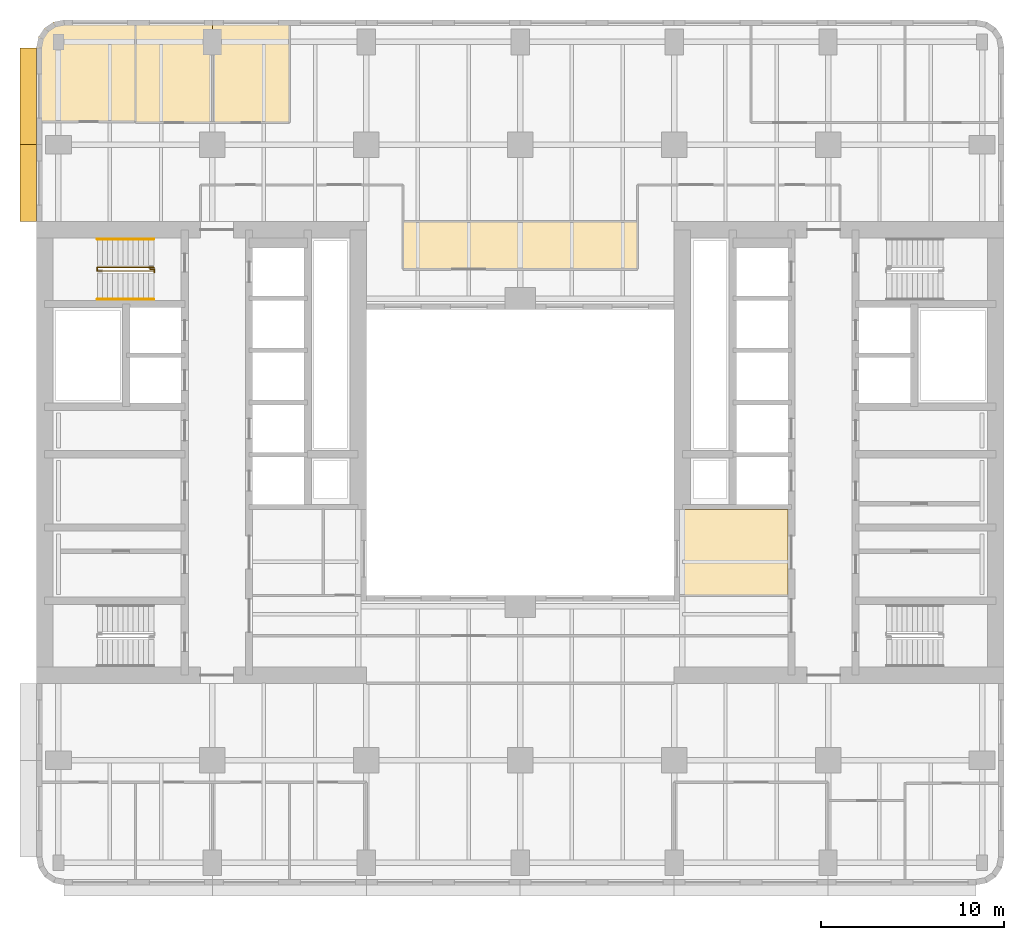
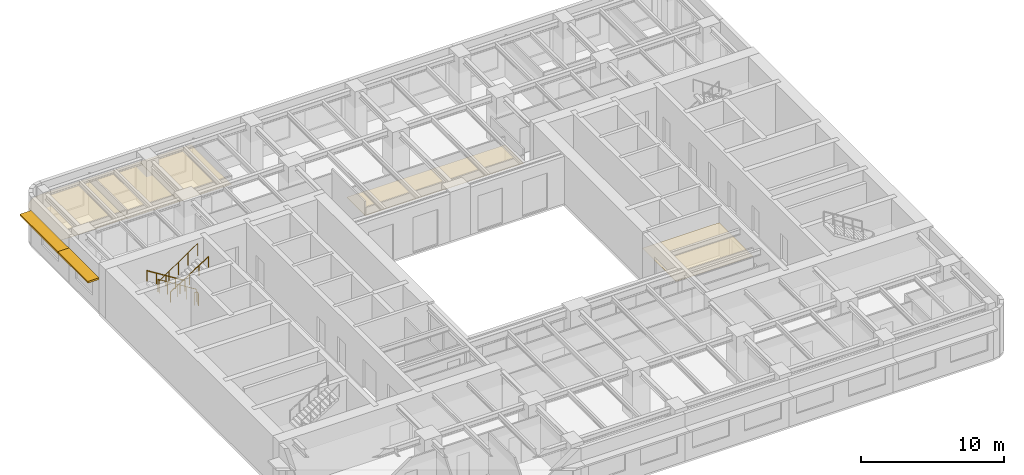
# One storey, part 10 of 11: 5 coverings, 4 railings, 2 shading devices.
"""IFC4 building model written with IfcOpenShell, lengths in metres."""

from ifc_helpers import new_model, si_unit, direction, frame, origin, origin_2d, place, context, subcontext, project, spatial, polyline, rectangle, circle, outline, extrude, material, layer, layer_set, type_object, element, save


model = new_model("IFC4")

# Units and contexts
model_context = context("Model", 3, precision=1e-05, world=origin(), true_north=direction((0.0, 1.0)))
body_context = subcontext(model_context, "Body", "Model", "MODEL_VIEW")
ifc_project = project(units=[si_unit("LENGTHUNIT", "METRE"), si_unit("AREAUNIT", "SQUARE_METRE"), si_unit("VOLUMEUNIT", "CUBIC_METRE"), si_unit("PLANEANGLEUNIT", "RADIAN"), si_unit("MASSUNIT", "GRAM", prefix="KILO")], contexts=[model_context])

# Site, building, storey
site_placement = place(None, origin())
site = spatial("IfcSite", under=ifc_project, at=site_placement, CompositionType="ELEMENT")
building_placement = place(site_placement, origin())
building = spatial("IfcBuilding", under=site, at=building_placement, Name="Claustro Exchange Tower", CompositionType="ELEMENT")
storey_placement = place(building_placement, frame((0.0, 0.0, 109.199951171875)))
storey = spatial("IfcBuildingStorey", under=building, at=storey_placement, Name="L24", CompositionType="ELEMENT", Elevation=109.199951171875)

# Coverings
ifc_material_1 = material(Name="Gypsum board ceiling", Category="gypsum board")
ifc_layer_1 = layer(ifc_material_1, 0.02490234375)
ifc_layer_set_1 = layer_set([ifc_layer_1], Name="Gypsum board ceiling")
covering_type = type_object("IfcCoveringType", Name="CL2 plasterboard ceiling", PredefinedType="CEILING", material=ifc_layer_set_1)
covering_1_placement = place(storey_placement, frame((0.0, 0.0, 2.800048828125)))
element("IfcCovering", 1, at=covering_1_placement, inside=storey, type_object=covering_type, Name="Ceiling CL2 L24-13", PredefinedType="CEILING", context=body_context, shape_type="SweptSolid", body=[
    extrude(outline(polyline([(39.800048828125, 17.39990234375), (39.800048828125, 22.10009765625), (33.60009765625, 22.10009765625), (33.60009765625, 17.39990234375), (39.800048828125, 17.39990234375)])), origin(), (0.0, 0.0, 1.0), 0.02490234375),
])
covering_2_placement = place(storey_placement, frame((0.0, 0.0, 2.800048828125)))
element("IfcCovering", 2, at=covering_2_placement, inside=storey, type_object=covering_type, Name="Ceiling CL2 L24-14", PredefinedType="CEILING", context=body_context, shape_type="SweptSolid", body=[
    extrude(outline(polyline([(18.800048828125, 35.199951171875), (31.60009765625, 35.199951171875), (31.60009765625, 37.800048828125), (18.800048828125, 37.800048828125), (18.800048828125, 35.199951171875)])), origin(), (0.0, 0.0, 1.0), 0.02490234375),
])
covering_3_placement = place(storey_placement, frame((0.0, 0.0, 2.800048828125)))
element("IfcCovering", 3, at=covering_3_placement, inside=storey, type_object=covering_type, Name="Ceiling CL2 L24-17", PredefinedType="CEILING", context=body_context, shape_type="SweptSolid", body=[
    extrude(outline(polyline([(-1.199951171875, 47.300048828125), (-1.199951171875, 43.25), (4.199951171875, 43.25), (4.199951171875, 48.800048828125), (0.300048828125, 48.800048828125), (-0.27392578125, 48.685791015625), (-0.7607421875, 48.360595703125), (-1.085693359375, 47.8740234375), (-1.199951171875, 47.300048828125)])), origin(), (0.0, 0.0, 1.0), 0.02490234375),
])
covering_4_placement = place(storey_placement, frame((0.0, 0.0, 2.800048828125)))
element("IfcCovering", 4, at=covering_4_placement, inside=storey, type_object=covering_type, Name="Ceiling CL2 L24-18", PredefinedType="CEILING", context=body_context, shape_type="SweptSolid", body=[
    extrude(outline(polyline([(8.39990234375, 48.800048828125), (4.199951171875, 48.800048828125), (4.199951171875, 43.199951171875), (8.39990234375, 43.199951171875), (8.39990234375, 48.800048828125)])), origin(), (0.0, 0.0, 1.0), 0.02490234375),
])
covering_5_placement = place(storey_placement, frame((0.0, 0.0, 2.800048828125)))
element("IfcCovering", 5, at=covering_5_placement, inside=storey, type_object=covering_type, Name="Ceiling CL2 L24-19", PredefinedType="CEILING", context=body_context, shape_type="SweptSolid", body=[
    extrude(outline(polyline([(12.60009765625, 48.800048828125), (8.39990234375, 48.800048828125), (8.39990234375, 43.199951171875), (12.60009765625, 43.199951171875), (12.60009765625, 48.800048828125)])), origin(), (0.0, 0.0, 1.0), 0.02490234375),
])

# Railings
ifc_material_2 = material(Name="Steel balustrade, painted", Category="steel")
railing_type_1 = type_object("IfcRailingType", Name="GR2 1100 steel stair guard", PredefinedType="GUARDRAIL", material=ifc_material_2)
railing_1_placement = place(storey_placement, frame((5.199951171875, 35.300048828125, 0.175048828125)))
element("IfcRailing", 6, at=railing_1_placement, inside=storey, type_object=railing_type_1, Name="Stair well guard GR2 stair STWB L24", PredefinedType="GUARDRAIL", context=body_context, shape_type="SweptSolid", body=[
    extrude(circle(Radius=0.02392578125, at=origin_2d()), frame((0.0, 0.0, 1.076171875), z_axis=(-0.847979421464, 0.0, 0.530029150871), x_axis=(0.0, -1.0, 0.0)), (0.0, 0.0, 1.0), 3.632080078125),
    extrude(circle(Radius=0.02392578125, at=origin_2d()), frame((-3.079833984375, 0.0, 3.0009765625), z_axis=(0.0, -1.0, 0.0), x_axis=(1.0, 0.0, 0.0)), (0.0, 0.0, 1.0), 0.199951171875),
    extrude(circle(Radius=0.02392578125, at=origin_2d()), frame((-3.079833984375, -0.199951171875, 3.0009765625), z_axis=(0.826231499792, 0.0, 0.563330727682), x_axis=(0.0, 1.0, 0.0)), (0.0, 0.0, 1.0), 3.7275390625),
    extrude(circle(Radius=0.02099609375, at=origin_2d()), origin(), (0.0, 0.0, 1.0), 1.052001953125),
    extrude(circle(Radius=0.02099609375, at=origin_2d()), frame((-0.77001953125, 0.0, 0.481201171875)), (0.0, 0.0, 1.0), 1.052001953125),
    extrude(circle(Radius=0.02099609375, at=origin_2d()), frame((-1.5400390625, 0.0, 0.96240234375)), (0.0, 0.0, 1.0), 1.052001953125),
    extrude(circle(Radius=0.02099609375, at=origin_2d()), frame((-2.309814453125, 0.0, 1.44384765625)), (0.0, 0.0, 1.0), 1.052001953125),
    extrude(circle(Radius=0.02099609375, at=origin_2d()), frame((-3.079833984375, 0.0, 1.925048828125)), (0.0, 0.0, 1.0), 1.052001953125),
    extrude(circle(Radius=0.02099609375, at=origin_2d()), frame((-3.079833984375, -0.199951171875, 1.925048828125)), (0.0, 0.0, 1.0), 1.052001953125),
    extrude(circle(Radius=0.02099609375, at=origin_2d()), frame((-2.309814453125, -0.199951171875, 2.449951171875)), (0.0, 0.0, 1.0), 1.052001953125),
    extrude(circle(Radius=0.02099609375, at=origin_2d()), frame((-1.5400390625, -0.199951171875, 2.97509765625)), (0.0, 0.0, 1.0), 1.052001953125),
    extrude(circle(Radius=0.02099609375, at=origin_2d()), frame((-0.77001953125, -0.199951171875, 3.5)), (0.0, 0.0, 1.0), 1.052001953125),
    extrude(circle(Radius=0.02099609375, at=origin_2d()), frame((0.0, -0.199951171875, 4.02490234375)), (0.0, 0.0, 1.0), 1.052001953125),
])
railing_2_placement = place(storey_placement, frame((5.0, 35.22998046875, 0.0)))
element("IfcRailing", 7, at=railing_2_placement, inside=storey, type_object=railing_type_1, Name="Stair guard GR2 STWB L24", PredefinedType="GUARDRAIL", context=body_context, shape_type="SweptSolid", body=[
    extrude(circle(Radius=0.02392578125, at=origin_2d()), frame((0.0, 0.0, 1.076171875), z_axis=(0.0, -1.0, 0.0), x_axis=(1.0, 0.0, 0.0)), (0.0, 0.0, 1.0), 0.030029296875),
    extrude(circle(Radius=0.02392578125, at=origin_2d()), frame((0.0, -0.030029296875, 1.076171875), z_axis=(1.0, 0.0, 0.0), x_axis=(0.0, 1.0, 0.0)), (0.0, 0.0, 1.0), 0.22509765625),
    extrude(circle(Radius=0.02392578125, at=origin_2d()), frame((0.22509765625, -0.030029296875, 1.076171875), z_axis=(0.0, -1.0, 0.0), x_axis=(1.0, 0.0, 0.0)), (0.0, 0.0, 1.0), 0.179931640625),
    extrude(circle(Radius=0.02099609375, at=origin_2d()), origin(), (0.0, 0.0, 1.0), 1.052001953125),
    extrude(circle(Radius=0.02099609375, at=origin_2d()), frame((0.0, -0.030029296875, 0.0)), (0.0, 0.0, 1.0), 1.052001953125),
    extrude(circle(Radius=0.02099609375, at=origin_2d()), frame((0.22509765625, -0.030029296875, 0.0)), (0.0, 0.0, 1.0), 1.052001953125),
    extrude(circle(Radius=0.02099609375, at=origin_2d()), frame((0.22509765625, -0.2099609375, 0.0)), (0.0, 0.0, 1.0), 1.052001953125),
])
ifc_material_3 = material(Name="Stainless steel tube", Category="steel")
railing_type_2 = type_object("IfcRailingType", Name="HR1 900 stair handrail", PredefinedType="HANDRAIL", material=ifc_material_3)
railing_3_placement = place(storey_placement, frame((5.199951171875, 36.840087890625, 0.175048828125)))
element("IfcRailing", 8, at=railing_3_placement, inside=storey, type_object=railing_type_2, Name="Handrail HR1 stair STWB L24", PredefinedType="HANDRAIL", context=body_context, shape_type="SweptSolid", body=[
    extrude(circle(Radius=0.02392578125, at=origin_2d()), frame((0.0, 0.0, 0.8759765625), z_axis=(-0.847979421464, 0.0, 0.530029150871), x_axis=(0.0, -1.0, 0.0)), (0.0, 0.0, 1.0), 3.632080078125),
    extrude(circle(Radius=0.02099609375, at=origin_2d()), origin(), (0.0, 0.0, 1.0), 0.851806640625),
    extrude(circle(Radius=0.02099609375, at=origin_2d()), frame((-0.77001953125, 0.0, 0.481201171875)), (0.0, 0.0, 1.0), 0.851806640625),
    extrude(circle(Radius=0.02099609375, at=origin_2d()), frame((-1.5400390625, 0.0, 0.96240234375)), (0.0, 0.0, 1.0), 0.851806640625),
    extrude(circle(Radius=0.02099609375, at=origin_2d()), frame((-2.309814453125, 0.0, 1.44384765625)), (0.0, 0.0, 1.0), 0.851806640625),
    extrude(circle(Radius=0.02099609375, at=origin_2d()), frame((-3.079833984375, 0.0, 1.925048828125)), (0.0, 0.0, 1.0), 0.851806640625),
])
railing_4_placement = place(storey_placement, frame((2.1201171875, 33.56005859375, 2.275146484375)))
element("IfcRailing", 9, at=railing_4_placement, inside=storey, type_object=railing_type_2, Name="Handrail HR1 stair STWB L24", PredefinedType="HANDRAIL", context=body_context, shape_type="SweptSolid", body=[
    extrude(circle(Radius=0.02392578125, at=origin_2d()), frame((0.0, 0.0, 0.8759765625), z_axis=(0.848009633417, 0.0, 0.529980812513), x_axis=(0.0, 1.0, 0.0)), (0.0, 0.0, 1.0), 3.6318359375),
    extrude(circle(Radius=0.02099609375, at=origin_2d()), origin(), (0.0, 0.0, 1.0), 0.851806640625),
    extrude(circle(Radius=0.02099609375, at=origin_2d()), frame((0.77001953125, 0.0, 0.481201171875)), (0.0, 0.0, 1.0), 0.851806640625),
    extrude(circle(Radius=0.02099609375, at=origin_2d()), frame((1.5400390625, 0.0, 0.96240234375)), (0.0, 0.0, 1.0), 0.851806640625),
    extrude(circle(Radius=0.02099609375, at=origin_2d()), frame((2.309814453125, 0.0, 1.443603515625)), (0.0, 0.0, 1.0), 0.851806640625),
    extrude(circle(Radius=0.02099609375, at=origin_2d()), frame((3.079833984375, 0.0, 1.9248046875)), (0.0, 0.0, 1.0), 0.851806640625),
])

# Shading devices
ifc_material_4 = material(Name="Concrete HA-40 (C40/50), precast, white cement, acid-etched", Category="concrete")
ifc_layer_2 = layer(ifc_material_4, 0.14990234375)
ifc_layer_set_2 = layer_set([ifc_layer_2], Name="Concrete HA-40 (C40/50), precast, white cement, acid-etched")
shading_device_type = type_object("IfcShadingDeviceType", Name="SS2 900 precast concrete SUNSHADE", PredefinedType="SHUTTER", material=ifc_layer_set_2)
shading_device_1_placement = place(storey_placement, frame((-1.64990234375, 39.89990234375, 2.800048828125), z_axis=(0.0, 0.0, 1.0), x_axis=(0.0, 1.0, 0.0)))
element("IfcShadingDevice", 10, at=shading_device_1_placement, inside=storey, type_object=shading_device_type, Name="Precast SUNSHADE SS2 L24", PredefinedType="SHUTTER", context=body_context, shape_type="SweptSolid", body=[
    extrude(rectangle(XDim=4.199951171875, YDim=0.89990234375, at=origin_2d()), origin(), (0.0, 0.0, 1.0), 0.14990234375),
])
shading_device_2_placement = place(storey_placement, frame((-1.64990234375, 44.642578125, 2.800048828125), z_axis=(0.0, 0.0, 1.0), x_axis=(0.0, 1.0, 0.0)))
element("IfcShadingDevice", 11, at=shading_device_2_placement, inside=storey, type_object=shading_device_type, Name="Precast SUNSHADE SS2 L24", PredefinedType="SHUTTER", context=body_context, shape_type="SweptSolid", body=[
    extrude(rectangle(XDim=5.28515625, YDim=0.89990234375, at=origin_2d()), origin(), (0.0, 0.0, 1.0), 0.14990234375),
])

save(model, "model.ifc")
